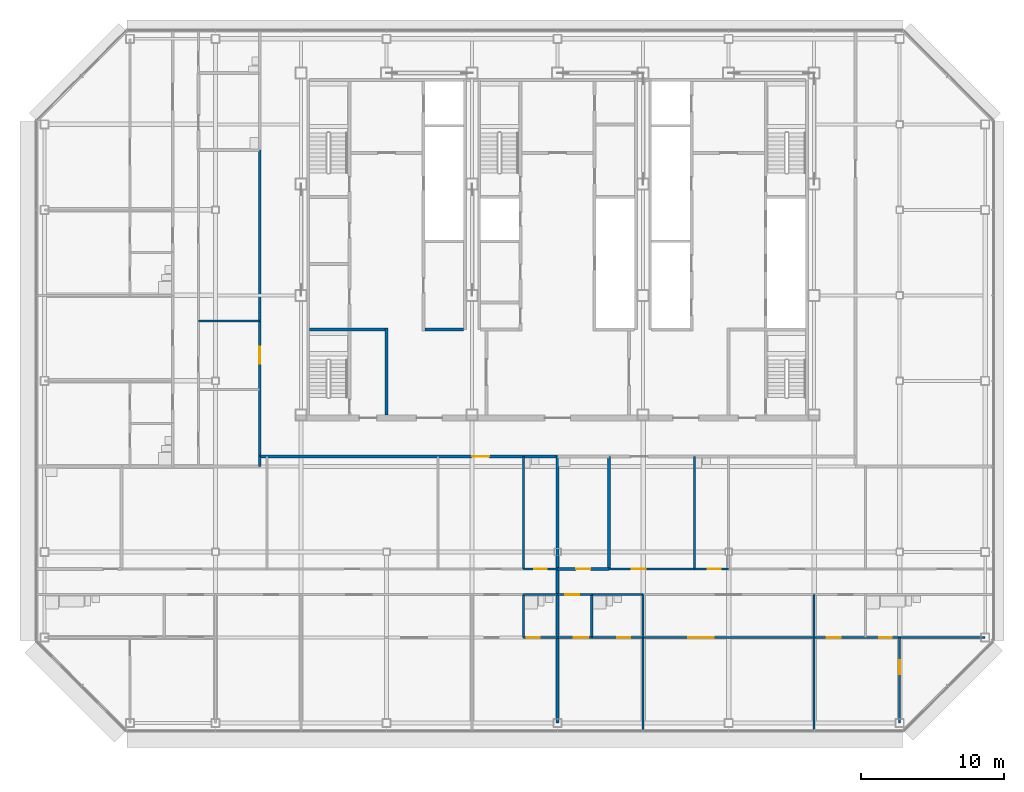
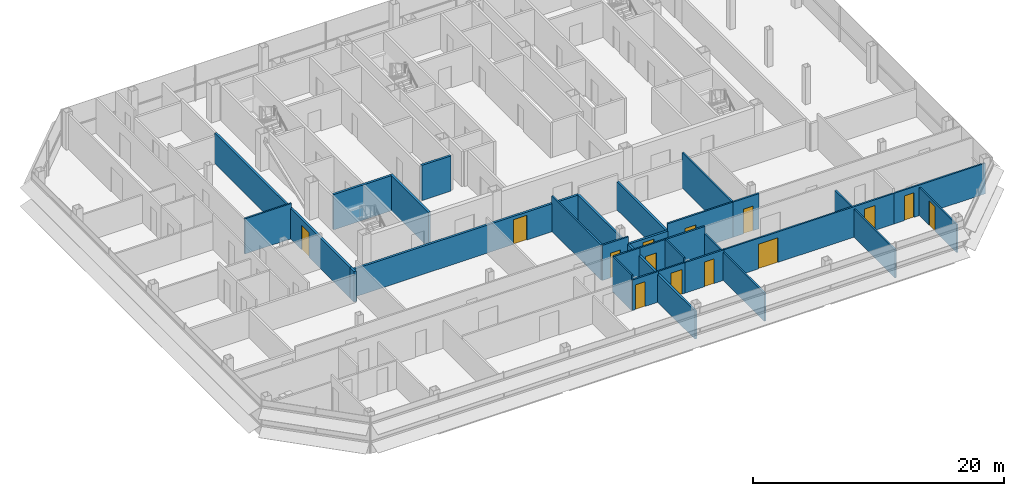
# One storey, part 22 of 28: 30 walls, 14 doors, 14 openings.
"""IFC4 building model written with IfcOpenShell, lengths in metres."""

from ifc_helpers import new_model, si_unit, direction, frame, frame_2d, origin, place, context, subcontext, project, spatial, rectangle, extrude, material, layer, layer_set, type_object, element, fill, save


model = new_model("IFC4")

# Units and contexts
model_context = context("Model", 3, precision=1e-05, world=origin(), true_north=direction((0.0, 1.0)))
body_context = subcontext(model_context, "Body", "Model", "MODEL_VIEW")
ifc_project = project(units=[si_unit("LENGTHUNIT", "METRE"), si_unit("AREAUNIT", "SQUARE_METRE"), si_unit("VOLUMEUNIT", "CUBIC_METRE"), si_unit("PLANEANGLEUNIT", "RADIAN"), si_unit("MASSUNIT", "GRAM", prefix="KILO")], contexts=[model_context])

# Site, building, storey
site_placement = place(None, origin())
site = spatial("IfcSite", under=ifc_project, at=site_placement, CompositionType="ELEMENT")
building_placement = place(site_placement, origin())
building = spatial("IfcBuilding", under=site, at=building_placement, Name="Sorahane Residences", CompositionType="ELEMENT")
storey_placement = place(building_placement, frame((0.0, 0.0, 270.199951171875)))
storey = spatial("IfcBuildingStorey", under=building, at=storey_placement, Name="L64", CompositionType="ELEMENT", Elevation=270.199951171875)

# Wall, opening, door
ifc_material_1 = material(Name="Concrete blockwork C20 wall", Category="masonry")
ifc_layer_1 = layer(ifc_material_1, 0.199951171875)
ifc_layer_set_1 = layer_set([ifc_layer_1], Name="Corridor wall 200 EI 120")
wall_type_1 = type_object("IfcWallType", Name="Corridor wall 200 EI 120", PredefinedType="SOLIDWALL", material=ifc_layer_set_1)
wall_1_placement = place(storey_placement, frame((3.10009765625, 18.699951171875, 0.0), z_axis=(0.0, 0.0, 1.0), x_axis=(0.0, 1.0, 0.0)))
wall_1 = element("IfcWall", 1, at=wall_1_placement, inside=storey, type_object=wall_type_1, Name="L64 corridor wall", PredefinedType="SOLIDWALL", context=body_context, shape_type="SweptSolid", body=[
    extrude(rectangle(XDim=21.5, YDim=0.199951171875, at=frame_2d((10.75, 0.0))), origin(), (0.0, 0.0, 1.0), 2.969970703125),
])
opening_1_placement = place(wall_1_placement, frame((6.5, 0.0, 0.0)))
opening_1 = element("IfcOpeningElement", 2, at=opening_1_placement, cuts=wall_1, Name="Opening L64-46", PredefinedType="OPENING", context=body_context, shape_type="SweptSolid", body=[
    extrude(rectangle(XDim=1.199951171875, YDim=2.39990234375, at=frame_2d((0.60009765625, 1.199951171875))), frame((0.0, 0.10986328125, 0.0), z_axis=(0.0, -1.0, 0.0), x_axis=(1.0, 0.0, 0.0)), (0.0, 0.0, 1.0), 0.219970703125),
])
ifc_material_2 = material(Name="Timber veneered fire door", Category="wood")
door_type_1 = type_object("IfcDoorType", Name="Flat entrance door 1200x2400 FD60", OperationType="NOTDEFINED", PredefinedType="DOOR", material=ifc_material_2)
door_1_placement = place(opening_1_placement, origin())
door_1 = element("IfcDoor", 3, at=door_1_placement, inside=storey, type_object=door_type_1, Name="Flat entrance door L64-46", OperationType="SINGLE_SWING_LEFT", OverallHeight=2.39990234375, OverallWidth=1.199951171875, PredefinedType="DOOR", context=body_context, shape_type="SweptSolid", body=[
    extrude(rectangle(XDim=1.199951171875, YDim=2.39990234375, at=frame_2d((0.60009765625, 1.199951171875))), frame((0.0, 0.02490234375, 0.0), z_axis=(0.0, -1.0, 0.0), x_axis=(1.0, 0.0, 0.0)), (0.0, 0.0, 1.0), 0.050048828125),
])
fill(opening_1, door_1)

wall_2_placement = place(storey_placement, frame((3.10009765625, 18.699951171875, 0.0), z_axis=(0.0, 0.0, 1.0), x_axis=(1.0, 0.0, 0.0)))
wall_2 = element("IfcWall", 4, at=wall_2_placement, inside=storey, type_object=wall_type_1, Name="L64 corridor wall", PredefinedType="SOLIDWALL", context=body_context, shape_type="SweptSolid", body=[
    extrude(rectangle(XDim=20.89990234375, YDim=0.199951171875, at=frame_2d((10.449951171875, 0.0))), origin(), (0.0, 0.0, 1.0), 2.719970703125),
])
opening_2_placement = place(wall_2_placement, frame((14.89990234375, 0.0, 0.0)))
opening_2 = element("IfcOpeningElement", 5, at=opening_2_placement, cuts=wall_2, Name="Opening L64-44", PredefinedType="OPENING", context=body_context, shape_type="SweptSolid", body=[
    extrude(rectangle(XDim=1.199951171875, YDim=2.39990234375, at=frame_2d((0.60009765625, 1.199951171875))), frame((0.0, 0.10986328125, 0.0), z_axis=(0.0, -1.0, 0.0), x_axis=(1.0, 0.0, 0.0)), (0.0, 0.0, 1.0), 0.219970703125),
])
door_2_placement = place(opening_2_placement, frame((1.199951171875, 0.0, 0.0), z_axis=(0.0, 0.0, 1.0), x_axis=(-1.0, 0.0, 0.0)))
door_2 = element("IfcDoor", 6, at=door_2_placement, inside=storey, type_object=door_type_1, Name="Flat entrance door L64-44", OperationType="SINGLE_SWING_LEFT", OverallHeight=2.39990234375, OverallWidth=1.199951171875, PredefinedType="DOOR", context=body_context, shape_type="SweptSolid", body=[
    extrude(rectangle(XDim=1.199951171875, YDim=2.39990234375, at=frame_2d((0.60009765625, 1.199951171875))), frame((0.0, 0.02490234375, 0.0), z_axis=(0.0, -1.0, 0.0), x_axis=(1.0, 0.0, 0.0)), (0.0, 0.0, 1.0), 0.050048828125),
])
fill(opening_2, door_2)

# Walls
ifc_material_3 = material(Name="Concrete C30", Category="concrete")
ifc_layer_2 = layer(ifc_material_3, 0.199951171875)
ifc_layer_set_2 = layer_set([ifc_layer_2], Name="Front room wall 200 EI 120")
wall_type_2 = type_object("IfcWallType", Name="Front room wall 200 EI 120", PredefinedType="PARTITIONING", material=ifc_layer_set_2)
wall_3_placement = place(storey_placement, frame((12.0, 21.60009765625, 0.0), z_axis=(0.0, 0.0, 1.0), x_axis=(0.0, 1.0, 0.0)))
element("IfcWall", 7, at=wall_3_placement, inside=storey, type_object=wall_type_2, Name="L64 front room wall", PredefinedType="PARTITIONING", context=body_context, shape_type="SweptSolid", body=[
    extrude(rectangle(XDim=6.099853515625, YDim=0.199951171875, at=frame_2d((3.0498046875, 0.0))), origin(), (0.0, 0.0, 1.0), 3.420166015625),
])
ifc_material_4 = material(Name="Concrete blockwork C20 wall", Category="masonry")
ifc_layer_3 = layer(ifc_material_4, 0.199951171875)
ifc_layer_set_3 = layer_set([ifc_layer_3], Name="Kitchen wall 200 EI 180")
wall_type_3 = type_object("IfcWallType", Name="Kitchen wall 200 EI 180", PredefinedType="SOLIDWALL", material=ifc_layer_set_3)
for number, where, z_axis, x_axis, name in (
    (8, (24.0, 10.800048828125, 0.0), (0.0, 0.0, 1.0), (0.0, 1.0, 0.0), "L64 kitchen wall"),
    (9, (27.60009765625, 10.800048828125, 0.0), (0.0, 0.0, 1.0), (0.0, 1.0, 0.0), "L64 kitchen wall"),
):
    element("IfcWall", number, at=place(storey_placement, frame(where, z_axis=z_axis, x_axis=x_axis)), inside=storey, type_object=wall_type_3, Name=name, PredefinedType="SOLIDWALL", context=body_context, shape_type="SweptSolid", body=[
        extrude(rectangle(XDim=7.89990234375, YDim=0.199951171875, at=frame_2d((3.949951171875, 0.0))), origin(), (0.0, 0.0, 1.0), 2.719970703125),
    ])

# Wall, opening, door
wall_4_placement = place(storey_placement, frame((24.0, 10.800048828125, 0.0), z_axis=(0.0, 0.0, 1.0), x_axis=(1.0, 0.0, 0.0)))
wall_4 = element("IfcWall", 10, at=wall_4_placement, inside=storey, type_object=wall_type_3, Name="L64 kitchen wall", PredefinedType="SOLIDWALL", context=body_context, shape_type="SweptSolid", body=[
    extrude(rectangle(XDim=3.60009765625, YDim=0.199951171875, at=frame_2d((1.800048828125, 0.0))), origin(), (0.0, 0.0, 1.0), 2.719970703125),
])
opening_3_placement = place(wall_4_placement, frame((1.300048828125, 0.0, 0.0)))
opening_3 = element("IfcOpeningElement", 11, at=opening_3_placement, cuts=wall_4, Name="Opening L64-17", PredefinedType="OPENING", context=body_context, shape_type="SweptSolid", body=[
    extrude(rectangle(XDim=1.0, YDim=2.39990234375, at=frame_2d((0.5, 1.199951171875))), frame((0.0, 0.10986328125, 0.0), z_axis=(0.0, -1.0, 0.0), x_axis=(1.0, 0.0, 0.0)), (0.0, 0.0, 1.0), 0.219970703125),
])
ifc_material_5 = material(Name="Steel", Category="steel")
door_type_2 = type_object("IfcDoorType", Name="Kitchen door 1000x2400 FD120", OperationType="NOTDEFINED", PredefinedType="DOOR", material=ifc_material_5)
door_3_placement = place(opening_3_placement, origin())
door_3 = element("IfcDoor", 12, at=door_3_placement, inside=storey, type_object=door_type_2, Name="Kitchen door L64-17", OperationType="SINGLE_SWING_LEFT", OverallHeight=2.39990234375, OverallWidth=1.0, PredefinedType="DOOR", context=body_context, shape_type="SweptSolid", body=[
    extrude(rectangle(XDim=1.0, YDim=2.39990234375, at=frame_2d((0.5, 1.199951171875))), frame((0.0, 0.02490234375, 0.0), z_axis=(0.0, -1.0, 0.0), x_axis=(1.0, 0.0, 0.0)), (0.0, 0.0, 1.0), 0.050048828125),
])
fill(opening_3, door_3)

# Walls
ifc_material_6 = material(Name="Gypsum board partition on steel studs", Category="steel")
ifc_layer_4 = layer(ifc_material_6, 0.14990234375)
ifc_layer_set_4 = layer_set([ifc_layer_4], Name="Partition 150 EI 90")
wall_type_4 = type_object("IfcWallType", Name="Partition 150 EI 90", PredefinedType="PARTITIONING", material=ifc_layer_set_4)
wall_5_placement = place(storey_placement, frame((30.0, -0.60009765625, 0.0), z_axis=(0.0, 0.0, 1.0), x_axis=(0.0, 1.0, 0.0)))
element("IfcWall", 13, at=wall_5_placement, inside=storey, type_object=wall_type_4, Name="L64 partition", PredefinedType="PARTITIONING", context=body_context, shape_type="SweptSolid", body=[
    extrude(rectangle(XDim=6.60009765625, YDim=0.14990234375, at=frame_2d((3.300048828125, 0.0))), origin(), (0.0, 0.0, 1.0), 2.719970703125),
])
wall_6_placement = place(storey_placement, frame((42.0, -0.60009765625, 0.0), z_axis=(0.0, 0.0, 1.0), x_axis=(0.0, 1.0, 0.0)))
element("IfcWall", 14, at=wall_6_placement, inside=storey, type_object=wall_type_4, Name="L64 partition", PredefinedType="PARTITIONING", context=body_context, shape_type="SweptSolid", body=[
    extrude(rectangle(XDim=9.60009765625, YDim=0.14990234375, at=frame_2d((4.800048828125, 0.0))), origin(), (0.0, 0.0, 1.0), 2.719970703125),
])

# Wall, opening, door
wall_7_placement = place(storey_placement, frame((48.0, 0.0, 0.0), z_axis=(0.0, 0.0, 1.0), x_axis=(0.0, 1.0, 0.0)))
wall_7 = element("IfcWall", 15, at=wall_7_placement, inside=storey, type_object=wall_type_4, Name="L64 partition", PredefinedType="PARTITIONING", context=body_context, shape_type="SweptSolid", body=[
    extrude(rectangle(XDim=6.0, YDim=0.14990234375, at=frame_2d((3.0, 0.0))), origin(), (0.0, 0.0, 1.0), 2.719970703125),
])
opening_4_placement = place(wall_7_placement, frame((3.39990234375, 0.0, 0.0)))
opening_4 = element("IfcOpeningElement", 16, at=opening_4_placement, cuts=wall_7, Name="Opening L64-28", PredefinedType="OPENING", context=body_context, shape_type="SweptSolid", body=[
    extrude(rectangle(XDim=1.0, YDim=2.39990234375, at=frame_2d((0.5, 1.199951171875))), frame((0.0, 0.0849609375, 0.0), z_axis=(0.0, -1.0, 0.0), x_axis=(1.0, 0.0, 0.0)), (0.0, 0.0, 1.0), 0.169921875),
])
ifc_material_7 = material(Name="Timber veneered fire door", Category="wood")
door_type_3 = type_object("IfcDoorType", Name="Room door 1000x2400 FD30", OperationType="NOTDEFINED", PredefinedType="DOOR", material=ifc_material_7)
door_4_placement = place(opening_4_placement, frame((1.0, 0.0, 0.0), z_axis=(0.0, 0.0, 1.0), x_axis=(-1.0, 0.0, 0.0)))
door_4 = element("IfcDoor", 17, at=door_4_placement, inside=storey, type_object=door_type_3, Name="Room door L64-28", OperationType="SINGLE_SWING_RIGHT", OverallHeight=2.39990234375, OverallWidth=1.0, PredefinedType="DOOR", context=body_context, shape_type="SweptSolid", body=[
    extrude(rectangle(XDim=1.0, YDim=2.39990234375, at=frame_2d((0.5, 1.199951171875))), frame((0.0, 0.02490234375, 0.0), z_axis=(0.0, -1.0, 0.0), x_axis=(1.0, 0.0, 0.0)), (0.0, 0.0, 1.0), 0.050048828125),
])
fill(opening_4, door_4)

wall_8_placement = place(storey_placement, frame((27.60009765625, 10.800048828125, 0.0), z_axis=(0.0, 0.0, 1.0), x_axis=(1.0, 0.0, 0.0)))
wall_8 = element("IfcWall", 18, at=wall_8_placement, inside=storey, type_object=wall_type_4, Name="L64 partition", PredefinedType="PARTITIONING", context=body_context, shape_type="SweptSolid", body=[
    extrude(rectangle(XDim=6.0, YDim=0.14990234375, at=frame_2d((3.0, 0.0))), origin(), (0.0, 0.0, 1.0), 3.420166015625),
])
opening_5_placement = place(wall_8_placement, frame((1.60009765625, 0.0, 0.0)))
opening_5 = element("IfcOpeningElement", 19, at=opening_5_placement, cuts=wall_8, Name="Opening L64-16", PredefinedType="OPENING", context=body_context, shape_type="SweptSolid", body=[
    extrude(rectangle(XDim=1.0, YDim=2.39990234375, at=frame_2d((0.5, 1.199951171875))), frame((0.0, 0.0849609375, 0.0), z_axis=(0.0, -1.0, 0.0), x_axis=(1.0, 0.0, 0.0)), (0.0, 0.0, 1.0), 0.169921875),
])
door_5_placement = place(opening_5_placement, frame((1.0, 0.0, 0.0), z_axis=(0.0, 0.0, 1.0), x_axis=(-1.0, 0.0, 0.0)))
door_5 = element("IfcDoor", 20, at=door_5_placement, inside=storey, type_object=door_type_3, Name="Room door L64-16", OperationType="SINGLE_SWING_LEFT", OverallHeight=2.39990234375, OverallWidth=1.0, PredefinedType="DOOR", context=body_context, shape_type="SweptSolid", body=[
    extrude(rectangle(XDim=1.0, YDim=2.39990234375, at=frame_2d((0.5, 1.199951171875))), frame((0.0, 0.02490234375, 0.0), z_axis=(0.0, -1.0, 0.0), x_axis=(1.0, 0.0, 0.0)), (0.0, 0.0, 1.0), 0.050048828125),
])
fill(opening_5, door_5)

# Wall
wall_9_placement = place(storey_placement, frame((-1.199951171875, 28.199951171875, 0.0), z_axis=(0.0, 0.0, 1.0), x_axis=(1.0, 0.0, 0.0)))
element("IfcWall", 21, at=wall_9_placement, inside=storey, type_object=wall_type_4, Name="L64 partition", PredefinedType="PARTITIONING", context=body_context, shape_type="SweptSolid", body=[
    extrude(rectangle(XDim=4.300048828125, YDim=0.14990234375, at=frame_2d((2.14990234375, 0.0))), origin(), (0.0, 0.0, 1.0), 3.420166015625),
])

# Wall, opening, door
wall_10_placement = place(storey_placement, frame((24.0, 6.0, 0.0), z_axis=(0.0, 0.0, 1.0), x_axis=(1.0, 0.0, 0.0)))
wall_10 = element("IfcWall", 22, at=wall_10_placement, inside=storey, type_object=wall_type_4, Name="L64 partition", PredefinedType="PARTITIONING", context=body_context, shape_type="SweptSolid", body=[
    extrude(rectangle(XDim=2.39990234375, YDim=0.14990234375, at=frame_2d((1.199951171875, 0.0))), origin(), (0.0, 0.0, 1.0), 2.969970703125),
])
opening_6_placement = place(wall_10_placement, frame((1.14990234375, 0.0, 0.0)))
opening_6 = element("IfcOpeningElement", 23, at=opening_6_placement, cuts=wall_10, Name="Opening L64-24", PredefinedType="OPENING", context=body_context, shape_type="SweptSolid", body=[
    extrude(rectangle(XDim=1.0, YDim=2.39990234375, at=frame_2d((0.5, 1.199951171875))), frame((0.0, 0.0849609375, 0.0), z_axis=(0.0, -1.0, 0.0), x_axis=(1.0, 0.0, 0.0)), (0.0, 0.0, 1.0), 0.169921875),
])
door_6_placement = place(opening_6_placement, frame((1.0, 0.0, 0.0), z_axis=(0.0, 0.0, 1.0), x_axis=(-1.0, 0.0, 0.0)))
door_6 = element("IfcDoor", 24, at=door_6_placement, inside=storey, type_object=door_type_3, Name="Room door L64-24", OperationType="SINGLE_SWING_LEFT", OverallHeight=2.39990234375, OverallWidth=1.0, PredefinedType="DOOR", context=body_context, shape_type="SweptSolid", body=[
    extrude(rectangle(XDim=1.0, YDim=2.39990234375, at=frame_2d((0.5, 1.199951171875))), frame((0.0, 0.02490234375, 0.0), z_axis=(0.0, -1.0, 0.0), x_axis=(1.0, 0.0, 0.0)), (0.0, 0.0, 1.0), 0.050048828125),
])
fill(opening_6, door_6)

# Wall, openings, doors
wall_11_placement = place(storey_placement, frame((30.0, 6.0, 0.0), z_axis=(0.0, 0.0, 1.0), x_axis=(1.0, 0.0, 0.0)))
wall_11 = element("IfcWall", 25, at=wall_11_placement, inside=storey, type_object=wall_type_4, Name="L64 partition", PredefinedType="PARTITIONING", context=body_context, shape_type="SweptSolid", body=[
    extrude(rectangle(XDim=15.60009765625, YDim=0.14990234375, at=frame_2d((7.800048828125, 0.0))), origin(), (0.0, 0.0, 1.0), 2.969970703125),
])
opening_7_placement = place(wall_11_placement, frame((3.159912109375, 0.0, 0.0)))
opening_7 = element("IfcOpeningElement", 26, at=opening_7_placement, cuts=wall_11, Name="Opening L64-26", PredefinedType="OPENING", context=body_context, shape_type="SweptSolid", body=[
    extrude(rectangle(XDim=1.800048828125, YDim=2.39990234375, at=frame_2d((0.89990234375, 1.199951171875))), frame((0.0, 0.0849609375, 0.0), z_axis=(0.0, -1.0, 0.0), x_axis=(1.0, 0.0, 0.0)), (0.0, 0.0, 1.0), 0.169921875),
])
opening_8_placement = place(wall_11_placement, frame((12.8798828125, 0.0, 0.0)))
opening_8 = element("IfcOpeningElement", 27, at=opening_8_placement, cuts=wall_11, Name="Opening L64-27", PredefinedType="OPENING", context=body_context, shape_type="SweptSolid", body=[
    extrude(rectangle(XDim=1.0, YDim=2.39990234375, at=frame_2d((0.5, 1.199951171875))), frame((0.0, 0.0849609375, 0.0), z_axis=(0.0, -1.0, 0.0), x_axis=(1.0, 0.0, 0.0)), (0.0, 0.0, 1.0), 0.169921875),
])
ifc_material_8 = material(Name="Timber veneered fire door", Category="wood")
door_type_4 = type_object("IfcDoorType", Name="Double door 1800x2400 FD30", OperationType="NOTDEFINED", PredefinedType="DOOR", material=ifc_material_8)
door_7_placement = place(opening_7_placement, frame((1.800048828125, 0.0, 0.0), z_axis=(0.0, 0.0, 1.0), x_axis=(-1.0, 0.0, 0.0)))
door_7 = element("IfcDoor", 28, at=door_7_placement, inside=storey, type_object=door_type_4, Name="Double door L64-26", OperationType="SINGLE_SWING_RIGHT", OverallHeight=2.39990234375, OverallWidth=1.800048828125, PredefinedType="DOOR", context=body_context, shape_type="SweptSolid", body=[
    extrude(rectangle(XDim=1.800048828125, YDim=2.39990234375, at=frame_2d((0.89990234375, 1.199951171875))), frame((0.0, 0.02490234375, 0.0), z_axis=(0.0, -1.0, 0.0), x_axis=(1.0, 0.0, 0.0)), (0.0, 0.0, 1.0), 0.050048828125),
])
fill(opening_7, door_7)
door_8_placement = place(opening_8_placement, frame((1.0, 0.0, 0.0), z_axis=(0.0, 0.0, 1.0), x_axis=(-1.0, 0.0, 0.0)))
door_8 = element("IfcDoor", 29, at=door_8_placement, inside=storey, type_object=door_type_3, Name="Room door L64-27", OperationType="SINGLE_SWING_RIGHT", OverallHeight=2.39990234375, OverallWidth=1.0, PredefinedType="DOOR", context=body_context, shape_type="SweptSolid", body=[
    extrude(rectangle(XDim=1.0, YDim=2.39990234375, at=frame_2d((0.5, 1.199951171875))), frame((0.0, 0.02490234375, 0.0), z_axis=(0.0, -1.0, 0.0), x_axis=(1.0, 0.0, 0.0)), (0.0, 0.0, 1.0), 0.050048828125),
])
fill(opening_8, door_8)

# Wall, opening, door
wall_12_placement = place(storey_placement, frame((24.0, 9.0, 0.0), z_axis=(0.0, 0.0, 1.0), x_axis=(1.0, 0.0, 0.0)))
wall_12 = element("IfcWall", 30, at=wall_12_placement, inside=storey, type_object=wall_type_4, Name="L64 partition", PredefinedType="PARTITIONING", context=body_context, shape_type="SweptSolid", body=[
    extrude(rectangle(XDim=2.39990234375, YDim=0.14990234375, at=frame_2d((1.199951171875, 0.0))), origin(), (0.0, 0.0, 1.0), 3.420166015625),
])
opening_9_placement = place(wall_12_placement, frame((0.52001953125, 0.0, 0.0)))
opening_9 = element("IfcOpeningElement", 31, at=opening_9_placement, cuts=wall_12, Name="Opening L64-21", PredefinedType="OPENING", context=body_context, shape_type="SweptSolid", body=[
    extrude(rectangle(XDim=1.0, YDim=2.39990234375, at=frame_2d((0.5, 1.199951171875))), frame((0.0, 0.0849609375, 0.0), z_axis=(0.0, -1.0, 0.0), x_axis=(1.0, 0.0, 0.0)), (0.0, 0.0, 1.0), 0.169921875),
])
door_9_placement = place(opening_9_placement, frame((1.0, 0.0, 0.0), z_axis=(0.0, 0.0, 1.0), x_axis=(-1.0, 0.0, 0.0)))
door_9 = element("IfcDoor", 32, at=door_9_placement, inside=storey, type_object=door_type_3, Name="Room door L64-21", OperationType="SINGLE_SWING_RIGHT", OverallHeight=2.39990234375, OverallWidth=1.0, PredefinedType="DOOR", context=body_context, shape_type="SweptSolid", body=[
    extrude(rectangle(XDim=1.0, YDim=2.39990234375, at=frame_2d((0.5, 1.199951171875))), frame((0.0, 0.02490234375, 0.0), z_axis=(0.0, -1.0, 0.0), x_axis=(1.0, 0.0, 0.0)), (0.0, 0.0, 1.0), 0.050048828125),
])
fill(opening_9, door_9)

# Walls
ifc_material_9 = material(Name="Concrete blockwork C20 wall", Category="masonry")
ifc_layer_5 = layer(ifc_material_9, 0.199951171875)
ifc_layer_set_5 = layer_set([ifc_layer_5], Name="Party wall 200 EI 120")
wall_type_5 = type_object("IfcWallType", Name="Party wall 200 EI 120", PredefinedType="SOLIDWALL", material=ifc_layer_set_5)
wall_13_placement = place(storey_placement, frame((24.0, 0.0, 0.0), z_axis=(0.0, 0.0, 1.0), x_axis=(0.0, 1.0, 0.0)))
element("IfcWall", 33, at=wall_13_placement, inside=storey, type_object=wall_type_5, Name="L64 party wall", PredefinedType="SOLIDWALL", context=body_context, shape_type="SweptSolid", body=[
    extrude(rectangle(XDim=10.800048828125, YDim=0.199951171875, at=frame_2d((5.39990234375, 0.0))), origin(), (0.0, 0.0, 1.0), 2.719970703125),
])
wall_14_placement = place(storey_placement, frame((3.10009765625, 18.0, 0.0), z_axis=(0.0, 0.0, 1.0), x_axis=(0.0, 1.0, 0.0)))
element("IfcWall", 34, at=wall_14_placement, inside=storey, type_object=wall_type_5, Name="L64 party wall", PredefinedType="SOLIDWALL", context=body_context, shape_type="SweptSolid", body=[
    extrude(rectangle(XDim=0.699951171875, YDim=0.199951171875, at=frame_2d((0.35009765625, 0.0))), origin(), (0.0, 0.0, 1.0), 2.969970703125),
])
ifc_material_10 = material(Name="Concrete C30", Category="concrete")
ifc_layer_6 = layer(ifc_material_10, 0.199951171875)
ifc_layer_set_6 = layer_set([ifc_layer_6], Name="Service room partition 200 EI 60")
wall_type_6 = type_object("IfcWallType", Name="Service room partition 200 EI 60", PredefinedType="PARTITIONING", material=ifc_layer_set_6)
wall_15_placement = place(storey_placement, frame((14.699951171875, 27.60009765625, 0.0), z_axis=(0.0, 0.0, 1.0), x_axis=(1.0, 0.0, 0.0)))
element("IfcWall", 35, at=wall_15_placement, inside=storey, type_object=wall_type_6, Name="L64 service room wall", PredefinedType="PARTITIONING", context=body_context, shape_type="SweptSolid", body=[
    extrude(rectangle(XDim=2.699951171875, YDim=0.199951171875, at=frame_2d((1.35009765625, 0.0))), origin(), (0.0, 0.0, 1.0), 3.420166015625),
])
ifc_material_11 = material(Name="Concrete C30", Category="concrete")
ifc_layer_7 = layer(ifc_material_11, 0.199951171875)
ifc_layer_set_7 = layer_set([ifc_layer_7], Name="Stair enclosure wall 200 EI 120")
wall_type_7 = type_object("IfcWallType", Name="Stair enclosure wall 200 EI 120", PredefinedType="SOLIDWALL", material=ifc_layer_set_7)
wall_16_placement = place(storey_placement, frame((6.60009765625, 27.60009765625, 0.0), z_axis=(0.0, 0.0, 1.0), x_axis=(1.0, 0.0, 0.0)))
element("IfcWall", 36, at=wall_16_placement, inside=storey, type_object=wall_type_7, Name="L64 stair enclosure wall", PredefinedType="SOLIDWALL", context=body_context, shape_type="SweptSolid", body=[
    extrude(rectangle(XDim=5.2998046875, YDim=0.199951171875, at=frame_2d((2.64990234375, 0.0))), origin(), (0.0, 0.0, 1.0), 3.420166015625),
])
ifc_material_12 = material(Name="Gypsum board partition on steel studs", Category="steel")
ifc_layer_8 = layer(ifc_material_12, 0.14990234375)
ifc_layer_set_8 = layer_set([ifc_layer_8], Name="Wet wall 150 EI 90")
wall_type_8 = type_object("IfcWallType", Name="Wet wall 150 EI 90", PredefinedType="PARTITIONING", material=ifc_layer_set_8)
wall_17_placement = place(storey_placement, frame((21.60009765625, 6.0, 0.0), z_axis=(0.0, 0.0, 1.0), x_axis=(0.0, 1.0, 0.0)))
element("IfcWall", 37, at=wall_17_placement, inside=storey, type_object=wall_type_8, Name="L64 wet wall", PredefinedType="PARTITIONING", context=body_context, shape_type="SweptSolid", body=[
    extrude(rectangle(XDim=3.0, YDim=0.14990234375, at=frame_2d((1.5, 0.0))), origin(), (0.0, 0.0, 1.0), 3.420166015625),
])
wall_18_placement = place(storey_placement, frame((21.60009765625, 10.800048828125, 0.0), z_axis=(0.0, 0.0, 1.0), x_axis=(0.0, 1.0, 0.0)))
element("IfcWall", 38, at=wall_18_placement, inside=storey, type_object=wall_type_8, Name="L64 wet wall", PredefinedType="PARTITIONING", context=body_context, shape_type="SweptSolid", body=[
    extrude(rectangle(XDim=7.89990234375, YDim=0.14990234375, at=frame_2d((3.949951171875, 0.0))), origin(), (0.0, 0.0, 1.0), 3.420166015625),
])
wall_19_placement = place(storey_placement, frame((26.39990234375, 6.0, 0.0), z_axis=(0.0, 0.0, 1.0), x_axis=(0.0, 1.0, 0.0)))
element("IfcWall", 39, at=wall_19_placement, inside=storey, type_object=wall_type_8, Name="L64 wet wall", PredefinedType="PARTITIONING", context=body_context, shape_type="SweptSolid", body=[
    extrude(rectangle(XDim=3.0, YDim=0.14990234375, at=frame_2d((1.5, 0.0))), origin(), (0.0, 0.0, 1.0), 3.420166015625),
])
wall_20_placement = place(storey_placement, frame((30.0, 6.0, 0.0), z_axis=(0.0, 0.0, 1.0), x_axis=(0.0, 1.0, 0.0)))
element("IfcWall", 40, at=wall_20_placement, inside=storey, type_object=wall_type_8, Name="L64 wet wall", PredefinedType="PARTITIONING", context=body_context, shape_type="SweptSolid", body=[
    extrude(rectangle(XDim=3.0, YDim=0.14990234375, at=frame_2d((1.5, 0.0))), origin(), (0.0, 0.0, 1.0), 2.719970703125),
])
wall_21_placement = place(storey_placement, frame((33.60009765625, 10.800048828125, 0.0), z_axis=(0.0, 0.0, 1.0), x_axis=(0.0, 1.0, 0.0)))
element("IfcWall", 41, at=wall_21_placement, inside=storey, type_object=wall_type_8, Name="L64 wet wall", PredefinedType="PARTITIONING", context=body_context, shape_type="SweptSolid", body=[
    extrude(rectangle(XDim=7.89990234375, YDim=0.14990234375, at=frame_2d((3.949951171875, 0.0))), origin(), (0.0, 0.0, 1.0), 3.420166015625),
])

# Wall, opening, door
wall_22_placement = place(storey_placement, frame((21.60009765625, 10.800048828125, 0.0), z_axis=(0.0, 0.0, 1.0), x_axis=(1.0, 0.0, 0.0)))
wall_22 = element("IfcWall", 42, at=wall_22_placement, inside=storey, type_object=wall_type_8, Name="L64 wet wall", PredefinedType="PARTITIONING", context=body_context, shape_type="SweptSolid", body=[
    extrude(rectangle(XDim=2.39990234375, YDim=0.14990234375, at=frame_2d((1.199951171875, 0.0))), origin(), (0.0, 0.0, 1.0), 3.420166015625),
])
opening_10_placement = place(wall_22_placement, frame((0.75, 0.0, 0.0)))
opening_10 = element("IfcOpeningElement", 43, at=opening_10_placement, cuts=wall_22, Name="Opening L64-05", PredefinedType="OPENING", context=body_context, shape_type="SweptSolid", body=[
    extrude(rectangle(XDim=0.89990234375, YDim=2.39990234375, at=frame_2d((0.449951171875, 1.199951171875))), frame((0.0, 0.0849609375, 0.0), z_axis=(0.0, -1.0, 0.0), x_axis=(1.0, 0.0, 0.0)), (0.0, 0.0, 1.0), 0.169921875),
])
ifc_material_13 = material(Name="Timber veneered fire door", Category="wood")
door_type_5 = type_object("IfcDoorType", Name="Bathroom door 900x2400 FD30", OperationType="NOTDEFINED", PredefinedType="DOOR", material=ifc_material_13)
door_10_placement = place(opening_10_placement, frame((0.89990234375, 0.0, 0.0), z_axis=(0.0, 0.0, 1.0), x_axis=(-1.0, 0.0, 0.0)))
door_10 = element("IfcDoor", 44, at=door_10_placement, inside=storey, type_object=door_type_5, Name="Bathroom door L64-05", OperationType="SINGLE_SWING_RIGHT", OverallHeight=2.39990234375, OverallWidth=0.89990234375, PredefinedType="DOOR", context=body_context, shape_type="SweptSolid", body=[
    extrude(rectangle(XDim=0.89990234375, YDim=2.39990234375, at=frame_2d((0.449951171875, 1.199951171875))), frame((0.0, 0.02490234375, 0.0), z_axis=(0.0, -1.0, 0.0), x_axis=(1.0, 0.0, 0.0)), (0.0, 0.0, 1.0), 0.050048828125),
])
fill(opening_10, door_10)

wall_23_placement = place(storey_placement, frame((33.60009765625, 10.800048828125, 0.0), z_axis=(0.0, 0.0, 1.0), x_axis=(1.0, 0.0, 0.0)))
wall_23 = element("IfcWall", 45, at=wall_23_placement, inside=storey, type_object=wall_type_8, Name="L64 wet wall", PredefinedType="PARTITIONING", context=body_context, shape_type="SweptSolid", body=[
    extrude(rectangle(XDim=2.39990234375, YDim=0.14990234375, at=frame_2d((1.199951171875, 0.0))), origin(), (0.0, 0.0, 1.0), 3.420166015625),
])
opening_11_placement = place(wall_23_placement, frame((0.949951171875, 0.0, 0.0)))
opening_11 = element("IfcOpeningElement", 46, at=opening_11_placement, cuts=wall_23, Name="Opening L64-18", PredefinedType="OPENING", context=body_context, shape_type="SweptSolid", body=[
    extrude(rectangle(XDim=0.89990234375, YDim=2.39990234375, at=frame_2d((0.449951171875, 1.199951171875))), frame((0.0, 0.0849609375, 0.0), z_axis=(0.0, -1.0, 0.0), x_axis=(1.0, 0.0, 0.0)), (0.0, 0.0, 1.0), 0.169921875),
])
door_11_placement = place(opening_11_placement, frame((0.89990234375, 0.0, 0.0), z_axis=(0.0, 0.0, 1.0), x_axis=(-1.0, 0.0, 0.0)))
door_11 = element("IfcDoor", 47, at=door_11_placement, inside=storey, type_object=door_type_5, Name="Bathroom door L64-18", OperationType="SINGLE_SWING_RIGHT", OverallHeight=2.39990234375, OverallWidth=0.89990234375, PredefinedType="DOOR", context=body_context, shape_type="SweptSolid", body=[
    extrude(rectangle(XDim=0.89990234375, YDim=2.39990234375, at=frame_2d((0.449951171875, 1.199951171875))), frame((0.0, 0.02490234375, 0.0), z_axis=(0.0, -1.0, 0.0), x_axis=(1.0, 0.0, 0.0)), (0.0, 0.0, 1.0), 0.050048828125),
])
fill(opening_11, door_11)

wall_24_placement = place(storey_placement, frame((21.60009765625, 6.0, 0.0), z_axis=(0.0, 0.0, 1.0), x_axis=(1.0, 0.0, 0.0)))
wall_24 = element("IfcWall", 48, at=wall_24_placement, inside=storey, type_object=wall_type_8, Name="L64 wet wall", PredefinedType="PARTITIONING", context=body_context, shape_type="SweptSolid", body=[
    extrude(rectangle(XDim=2.39990234375, YDim=0.14990234375, at=frame_2d((1.199951171875, 0.0))), origin(), (0.0, 0.0, 1.0), 2.969970703125),
])
opening_12_placement = place(wall_24_placement, frame((0.25, 0.0, 0.0)))
opening_12 = element("IfcOpeningElement", 49, at=opening_12_placement, cuts=wall_24, Name="Opening L64-15", PredefinedType="OPENING", context=body_context, shape_type="SweptSolid", body=[
    extrude(rectangle(XDim=0.89990234375, YDim=2.39990234375, at=frame_2d((0.449951171875, 1.199951171875))), frame((0.0, 0.0849609375, 0.0), z_axis=(0.0, -1.0, 0.0), x_axis=(1.0, 0.0, 0.0)), (0.0, 0.0, 1.0), 0.169921875),
])
door_12_placement = place(opening_12_placement, frame((0.89990234375, 0.0, 0.0), z_axis=(0.0, 0.0, 1.0), x_axis=(-1.0, 0.0, 0.0)))
door_12 = element("IfcDoor", 50, at=door_12_placement, inside=storey, type_object=door_type_5, Name="Bathroom door L64-15", OperationType="SINGLE_SWING_RIGHT", OverallHeight=2.39990234375, OverallWidth=0.89990234375, PredefinedType="DOOR", context=body_context, shape_type="SweptSolid", body=[
    extrude(rectangle(XDim=0.89990234375, YDim=2.39990234375, at=frame_2d((0.449951171875, 1.199951171875))), frame((0.0, 0.02490234375, 0.0), z_axis=(0.0, -1.0, 0.0), x_axis=(1.0, 0.0, 0.0)), (0.0, 0.0, 1.0), 0.050048828125),
])
fill(opening_12, door_12)

wall_25_placement = place(storey_placement, frame((26.39990234375, 6.0, 0.0), z_axis=(0.0, 0.0, 1.0), x_axis=(1.0, 0.0, 0.0)))
wall_25 = element("IfcWall", 51, at=wall_25_placement, inside=storey, type_object=wall_type_8, Name="L64 wet wall", PredefinedType="PARTITIONING", context=body_context, shape_type="SweptSolid", body=[
    extrude(rectangle(XDim=3.60009765625, YDim=0.14990234375, at=frame_2d((1.800048828125, 0.0))), origin(), (0.0, 0.0, 1.0), 2.969970703125),
])
opening_13_placement = place(wall_25_placement, frame((1.7900390625, 0.0, 0.0)))
opening_13 = element("IfcOpeningElement", 52, at=opening_13_placement, cuts=wall_25, Name="Opening L64-25", PredefinedType="OPENING", context=body_context, shape_type="SweptSolid", body=[
    extrude(rectangle(XDim=0.89990234375, YDim=2.39990234375, at=frame_2d((0.449951171875, 1.199951171875))), frame((0.0, 0.0849609375, 0.0), z_axis=(0.0, -1.0, 0.0), x_axis=(1.0, 0.0, 0.0)), (0.0, 0.0, 1.0), 0.169921875),
])
door_13_placement = place(opening_13_placement, frame((0.89990234375, 0.0, 0.0), z_axis=(0.0, 0.0, 1.0), x_axis=(-1.0, 0.0, 0.0)))
door_13 = element("IfcDoor", 53, at=door_13_placement, inside=storey, type_object=door_type_5, Name="Bathroom door L64-25", OperationType="SINGLE_SWING_LEFT", OverallHeight=2.39990234375, OverallWidth=0.89990234375, PredefinedType="DOOR", context=body_context, shape_type="SweptSolid", body=[
    extrude(rectangle(XDim=0.89990234375, YDim=2.39990234375, at=frame_2d((0.449951171875, 1.199951171875))), frame((0.0, 0.02490234375, 0.0), z_axis=(0.0, -1.0, 0.0), x_axis=(1.0, 0.0, 0.0)), (0.0, 0.0, 1.0), 0.050048828125),
])
fill(opening_13, door_13)

wall_26_placement = place(storey_placement, frame((45.60009765625, 6.0, 0.0), z_axis=(0.0, 0.0, 1.0), x_axis=(1.0, 0.0, 0.0)))
wall_26 = element("IfcWall", 54, at=wall_26_placement, inside=storey, type_object=wall_type_8, Name="L64 wet wall", PredefinedType="PARTITIONING", context=body_context, shape_type="SweptSolid", body=[
    extrude(rectangle(XDim=8.39990234375, YDim=0.14990234375, at=frame_2d((4.199951171875, 0.0))), origin(), (0.0, 0.0, 1.0), 2.969970703125),
])
opening_14_placement = place(wall_26_placement, frame((0.949951171875, 0.0, 0.0)))
opening_14 = element("IfcOpeningElement", 55, at=opening_14_placement, cuts=wall_26, Name="Opening L64-29", PredefinedType="OPENING", context=body_context, shape_type="SweptSolid", body=[
    extrude(rectangle(XDim=0.89990234375, YDim=2.39990234375, at=frame_2d((0.449951171875, 1.199951171875))), frame((0.0, 0.0849609375, 0.0), z_axis=(0.0, -1.0, 0.0), x_axis=(1.0, 0.0, 0.0)), (0.0, 0.0, 1.0), 0.169921875),
])
door_14_placement = place(opening_14_placement, frame((0.89990234375, 0.0, 0.0), z_axis=(0.0, 0.0, 1.0), x_axis=(-1.0, 0.0, 0.0)))
door_14 = element("IfcDoor", 56, at=door_14_placement, inside=storey, type_object=door_type_5, Name="Bathroom door L64-29", OperationType="SINGLE_SWING_LEFT", OverallHeight=2.39990234375, OverallWidth=0.89990234375, PredefinedType="DOOR", context=body_context, shape_type="SweptSolid", body=[
    extrude(rectangle(XDim=0.89990234375, YDim=2.39990234375, at=frame_2d((0.449951171875, 1.199951171875))), frame((0.0, 0.02490234375, 0.0), z_axis=(0.0, -1.0, 0.0), x_axis=(1.0, 0.0, 0.0)), (0.0, 0.0, 1.0), 0.050048828125),
])
fill(opening_14, door_14)

# Walls
wall_27_placement = place(storey_placement, frame((21.60009765625, 9.0, 0.0), z_axis=(0.0, 0.0, 1.0), x_axis=(1.0, 0.0, 0.0)))
element("IfcWall", 57, at=wall_27_placement, inside=storey, type_object=wall_type_8, Name="L64 wet wall", PredefinedType="PARTITIONING", context=body_context, shape_type="SweptSolid", body=[
    extrude(rectangle(XDim=2.39990234375, YDim=0.14990234375, at=frame_2d((1.199951171875, 0.0))), origin(), (0.0, 0.0, 1.0), 3.420166015625),
])
wall_28_placement = place(storey_placement, frame((26.39990234375, 9.0, 0.0), z_axis=(0.0, 0.0, 1.0), x_axis=(1.0, 0.0, 0.0)))
element("IfcWall", 58, at=wall_28_placement, inside=storey, type_object=wall_type_8, Name="L64 wet wall", PredefinedType="PARTITIONING", context=body_context, shape_type="SweptSolid", body=[
    extrude(rectangle(XDim=3.60009765625, YDim=0.14990234375, at=frame_2d((1.800048828125, 0.0))), origin(), (0.0, 0.0, 1.0), 3.420166015625),
])

save(model, "model.ifc")
